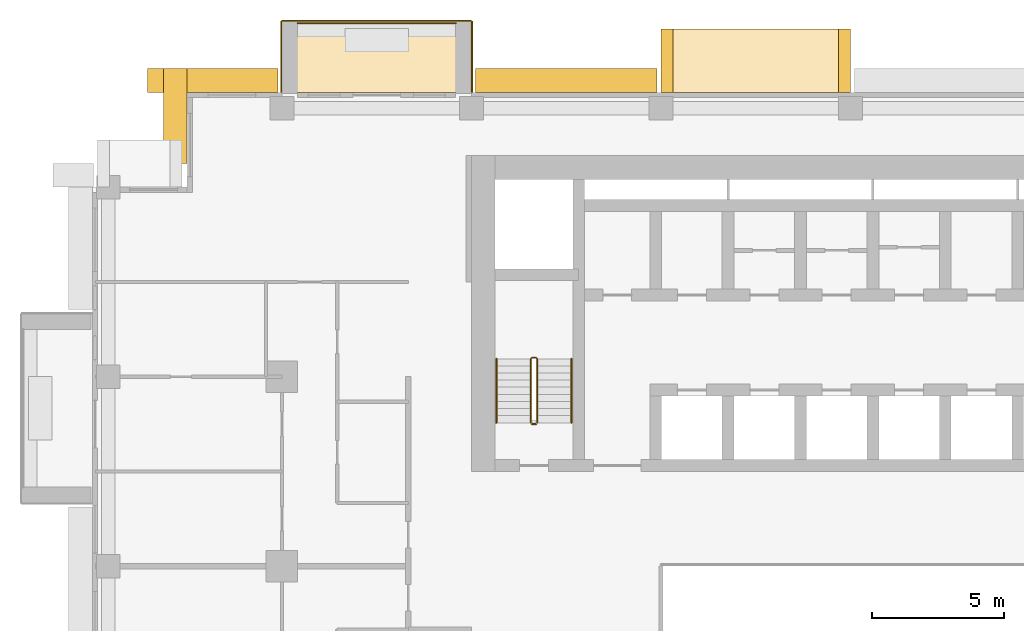
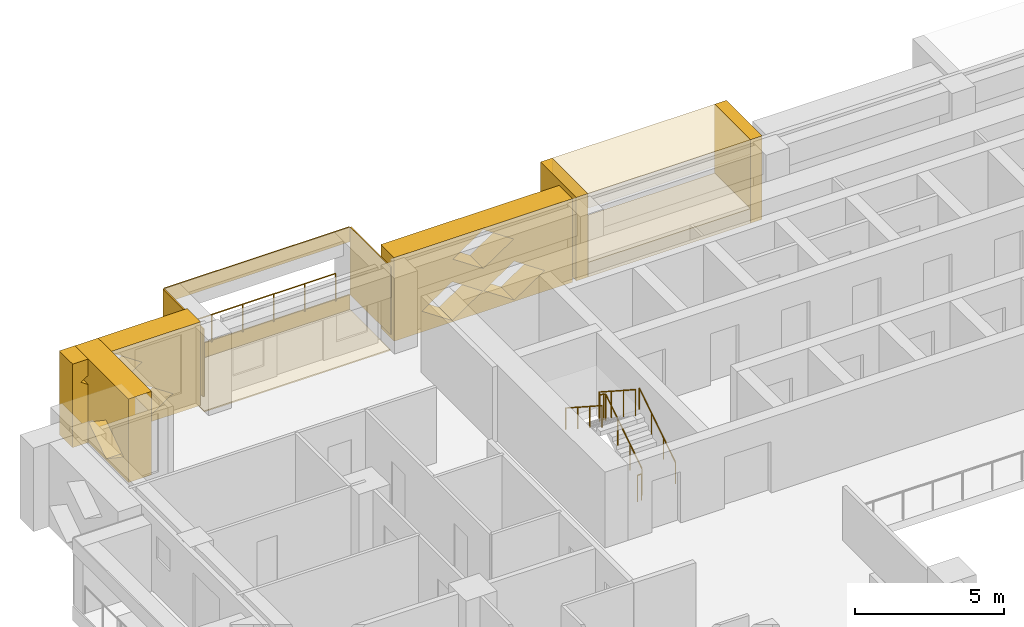
# One storey, part 15 of 17: 12 coverings, 5 railings.
"""IFC4 building model written with IfcOpenShell, lengths in metres."""

from ifc_helpers import new_model, si_unit, direction, frame, origin, origin_2d, place, context, subcontext, project, spatial, polyline, circle, outline, extrude, material, layer, layer_set, type_object, element, save


model = new_model("IFC4")

# Units and contexts
model_context = context("Model", 3, precision=1e-05, world=origin(), true_north=direction((0.0, 1.0)))
body_context = subcontext(model_context, "Body", "Model", "MODEL_VIEW")
ifc_project = project(units=[si_unit("LENGTHUNIT", "METRE"), si_unit("AREAUNIT", "SQUARE_METRE"), si_unit("VOLUMEUNIT", "CUBIC_METRE"), si_unit("PLANEANGLEUNIT", "RADIAN"), si_unit("MASSUNIT", "GRAM", prefix="KILO")], contexts=[model_context])

# Site, building, storey
site_placement = place(None, origin())
site = spatial("IfcSite", under=ifc_project, at=site_placement, CompositionType="ELEMENT")
building_placement = place(site_placement, origin())
building = spatial("IfcBuilding", under=site, at=building_placement, Name="Saffron Iwan Residences", CompositionType="ELEMENT")
storey_placement = place(building_placement, frame((0.0, 0.0, 104.0)))
storey = spatial("IfcBuildingStorey", under=building, at=storey_placement, Name="L27", CompositionType="ELEMENT", Elevation=104.0)

# Railing
ifc_material_1 = material(Name="Stainless steel 316", Category="steel")
railing_type_1 = type_object("IfcRailingType", Name="BALCONY GUARD 1150", PredefinedType="GUARDRAIL", material=ifc_material_1)
railing_1_placement = place(storey_placement, frame((28.199951171875, 83.02490234375, 0.0)))
element("IfcRailing", 1, at=railing_1_placement, inside=storey, type_object=railing_type_1, Name="Balcony guard L27 F5-3", PredefinedType="GUARDRAIL", context=body_context, shape_type="SweptSolid", body=[
    extrude(circle(Radius=0.02392578125, at=origin_2d()), frame((0.0, 0.0, 1.1259765625), z_axis=(-1.0, 0.0, 0.0), x_axis=(0.0, -1.0, 0.0)), (0.0, 0.0, 1.0), 6.0),
    extrude(circle(Radius=0.02099609375, at=origin_2d()), origin(), (0.0, 0.0, 1.0), 1.101806640625),
    extrude(circle(Radius=0.02099609375, at=origin_2d()), frame((-1.199951171875, 0.0, 0.0)), (0.0, 0.0, 1.0), 1.101806640625),
    extrude(circle(Radius=0.02099609375, at=origin_2d()), frame((-2.39990234375, 0.0, 0.0)), (0.0, 0.0, 1.0), 1.101806640625),
    extrude(circle(Radius=0.02099609375, at=origin_2d()), frame((-3.60009765625, 0.0, 0.0)), (0.0, 0.0, 1.0), 1.101806640625),
    extrude(circle(Radius=0.02099609375, at=origin_2d()), frame((-4.800048828125, 0.0, 0.0)), (0.0, 0.0, 1.0), 1.101806640625),
    extrude(circle(Radius=0.02099609375, at=origin_2d()), frame((-6.0, 0.0, 0.0)), (0.0, 0.0, 1.0), 1.101806640625),
])

# Coverings
ifc_material_2 = material(Name="Precast concrete C40/50 white painted", Category="concrete")
ifc_layer = layer(ifc_material_2, 0.050048828125)
ifc_layer_set = layer_set([ifc_layer], Name="Precast concrete C40/50 white painted")
covering_type_1 = type_object("IfcCoveringType", Name="FRAME SKIN PRECAST WHITE 50", PredefinedType="CLADDING", material=ifc_layer_set)
for number, where, name in (
    (2, (0.0, 0.0, -0.60009765625), "Frame skin slab edge L27 F5-3"),
    (3, (0.0, 0.0, 2.169921875), "Frame skin fascia L27 F5-3"),
):
    element("IfcCovering", number, at=place(storey_placement, frame(where)), inside=storey, type_object=covering_type_1, Name=name, PredefinedType="CLADDING", context=body_context, shape_type="SweptSolid", body=[
        extrude(outline(polyline([(28.800048828125, 83.14990234375), (21.60009765625, 83.14990234375), (21.60009765625, 83.10009765625), (28.800048828125, 83.10009765625), (28.800048828125, 83.14990234375)])), origin(), (0.0, 0.0, 1.0), 0.60009765625),
    ])
covering_1_placement = place(storey_placement, frame((0.0, 0.0, -0.64990234375)))
element("IfcCovering", 4, at=covering_1_placement, inside=storey, type_object=covering_type_1, Name="Frame skin soffit L27 F5-3", PredefinedType="CLADDING", context=body_context, shape_type="SweptSolid", body=[
    extrude(outline(polyline([(28.800048828125, 83.10009765625), (21.60009765625, 83.10009765625), (21.60009765625, 80.39990234375), (28.800048828125, 80.39990234375), (28.800048828125, 83.10009765625)])), origin(), (0.0, 0.0, 1.0), 0.0498046875),
])
covering_2_placement = place(storey_placement, origin())
element("IfcCovering", 5, at=covering_2_placement, inside=storey, type_object=covering_type_1, Name="Frame skin fin L27 F5-3a", PredefinedType="CLADDING", context=body_context, shape_type="SweptSolid", body=[
    extrude(outline(polyline([(28.85009765625, 83.10009765625), (28.800048828125, 83.10009765625), (28.800048828125, 80.39990234375), (28.85009765625, 80.39990234375), (28.85009765625, 83.10009765625)])), origin(), (0.0, 0.0, 1.0), 2.77001953125),
])
covering_3_placement = place(storey_placement, origin())
element("IfcCovering", 6, at=covering_3_placement, inside=storey, type_object=covering_type_1, Name="Frame skin fin L27 F5-3b", PredefinedType="CLADDING", context=body_context, shape_type="SweptSolid", body=[
    extrude(outline(polyline([(21.60009765625, 83.10009765625), (21.550048828125, 83.10009765625), (21.550048828125, 80.39990234375), (21.60009765625, 80.39990234375), (21.60009765625, 83.10009765625)])), origin(), (0.0, 0.0, 1.0), 2.77001953125),
])
ifc_material_3 = material(Name="Precast concrete C40/50", Category="concrete")
covering_type_2 = type_object("IfcCoveringType", Name="OUTER SKIN LATTICE SCREEN", PredefinedType="CLADDING", material=ifc_material_3)
covering_4_placement = place(storey_placement, frame((35.85009765625, 80.39990234375, -0.320068359375), z_axis=(0.0, 1.0, 0.0), x_axis=(-1.0, 0.0, 0.0)))
element("IfcCovering", 7, at=covering_4_placement, inside=storey, type_object=covering_type_2, Name="OUTER SKIN lattice screen L27 F5.3", PredefinedType="CLADDING", context=body_context, shape_type="SweptSolid", body=[
    extrude(outline(polyline([(0.0, 0.0), (6.89990234375, 0.0), (6.89990234375, 3.419921875), (0.0, 3.419921875), (0.0, 0.0)]), holes=[polyline([(1.070068359375, 0.85498046875), (2.25, 0.06005859375), (3.429931640625, 0.85498046875), (2.25, 1.64990234375), (1.070068359375, 0.85498046875)]), polyline([(3.469970703125, 0.85498046875), (4.64990234375, 0.06005859375), (5.830078125, 0.85498046875), (4.64990234375, 1.64990234375), (3.469970703125, 0.85498046875)]), polyline([(2.27001953125, 2.56494140625), (3.449951171875, 1.77001953125), (4.6298828125, 2.56494140625), (3.449951171875, 3.360107421875), (2.27001953125, 2.56494140625)])]), origin(), (0.0, 0.0, 1.0), 0.900146484375),
])
covering_5_placement = place(storey_placement, frame((21.449951171875, 80.39990234375, -0.320068359375), z_axis=(0.0, 1.0, 0.0), x_axis=(-1.0, 0.0, 0.0)))
element("IfcCovering", 8, at=covering_5_placement, inside=storey, type_object=covering_type_2, Name="OUTER SKIN lattice screen L27 F5.4", PredefinedType="CLADDING", context=body_context, shape_type="SweptSolid", body=[
    extrude(outline(polyline([(0.0, 0.0), (4.949951171875, 0.0), (4.949951171875, 3.419921875), (0.0, 3.419921875), (0.0, 0.0)]), holes=[polyline([(1.070068359375, 0.85498046875), (2.25, 0.06005859375), (3.429931640625, 0.85498046875), (2.25, 1.64990234375), (1.070068359375, 0.85498046875)]), polyline([(2.27001953125, 2.56494140625), (3.449951171875, 1.77001953125), (4.6298828125, 2.56494140625), (3.449951171875, 3.360107421875), (2.27001953125, 2.56494140625)])]), origin(), (0.0, 0.0, 1.0), 0.900146484375),
])
covering_6_placement = place(storey_placement, frame((18.0, 81.300048828125, -0.320068359375), z_axis=(-1.0, 0.0, 0.0), x_axis=(0.0, -1.0, 0.0)))
element("IfcCovering", 9, at=covering_6_placement, inside=storey, type_object=covering_type_2, Name="OUTER SKIN lattice screen L27 F6.0", PredefinedType="CLADDING", context=body_context, shape_type="SweptSolid", body=[
    extrude(outline(polyline([(0.0, 0.0), (3.60009765625, 0.0), (3.60009765625, 3.419921875), (0.0, 3.419921875), (0.0, 0.0)]), holes=[polyline([(0.919921875, 0.85498046875), (2.10009765625, 0.06005859375), (3.280029296875, 0.85498046875), (2.10009765625, 1.64990234375), (0.919921875, 0.85498046875)])]), origin(), (0.0, 0.0, 1.0), 0.89990234375),
])

# Railings
ifc_material_4 = material(Name="Steel S355", Category="steel")
railing_type_2 = type_object("IfcRailingType", Name="Stair guard 1100", PredefinedType="GUARDRAIL", material=ifc_material_4)
railing_2_placement = place(storey_placement, frame((31.300048828125, 67.85009765625, 0.175048828125)))
element("IfcRailing", 10, at=railing_2_placement, inside=storey, type_object=railing_type_2, Name="L27 ST-W stair guard 1", PredefinedType="GUARDRAIL", context=body_context, shape_type="SweptSolid", body=[
    extrude(circle(Radius=0.02392578125, at=origin_2d()), frame((0.0, 0.0, 1.076171875), z_axis=(0.0, 0.839153699163, 0.543894354798), x_axis=(-1.0, 0.0, 0.0)), (0.0, 0.0, 1.0), 2.895751953125),
    extrude(circle(Radius=0.02392578125, at=origin_2d()), frame((0.0, 2.429931640625, 2.65087890625), z_axis=(-0.707106781187, 0.707106781187, 0.0), x_axis=(-0.707106781187, -0.707106781187, 0.0)), (0.0, 0.0, 1.0), 0.07080078125),
    extrude(circle(Radius=0.02392578125, at=origin_2d()), frame((-0.050048828125, 2.47998046875, 2.65087890625), z_axis=(-1.0, 0.0, 0.0), x_axis=(0.0, -1.0, 0.0)), (0.0, 0.0, 1.0), 0.14990234375),
    extrude(circle(Radius=0.02392578125, at=origin_2d()), frame((-0.199951171875, 2.47998046875, 2.65087890625), z_axis=(-0.265065253269, -0.265065253269, 0.927081885822), x_axis=(0.707106781187, -0.707106781187, 0.0)), (0.0, 0.0, 1.0), 0.188720703125),
    extrude(circle(Radius=0.02392578125, at=origin_2d()), frame((-0.25, 2.429931640625, 2.826171875), z_axis=(0.0, -0.839153699163, 0.543894354798), x_axis=(1.0, 0.0, 0.0)), (0.0, 0.0, 1.0), 2.895751953125),
    extrude(circle(Radius=0.02099609375, at=origin_2d()), origin(), (0.0, 0.0, 1.0), 1.052001953125),
    extrude(circle(Radius=0.02099609375, at=origin_2d()), frame((0.0, 0.81005859375, 0.52490234375)), (0.0, 0.0, 1.0), 1.052001953125),
    extrude(circle(Radius=0.02099609375, at=origin_2d()), frame((0.0, 1.619873046875, 1.050048828125)), (0.0, 0.0, 1.0), 1.052001953125),
    extrude(circle(Radius=0.02099609375, at=origin_2d()), frame((0.0, 2.429931640625, 1.574951171875)), (0.0, 0.0, 1.0), 1.052001953125),
    extrude(circle(Radius=0.02099609375, at=origin_2d()), frame((-0.050048828125, 2.47998046875, 1.574951171875)), (0.0, 0.0, 1.0), 1.052001953125),
    extrude(circle(Radius=0.02099609375, at=origin_2d()), frame((-0.199951171875, 2.47998046875, 1.574951171875)), (0.0, 0.0, 1.0), 1.052001953125),
    extrude(circle(Radius=0.02099609375, at=origin_2d()), frame((-0.25, 2.429931640625, 1.75)), (0.0, 0.0, 1.0), 1.052001953125),
    extrude(circle(Radius=0.02099609375, at=origin_2d()), frame((-0.25, 1.619873046875, 2.27490234375)), (0.0, 0.0, 1.0), 1.052001953125),
    extrude(circle(Radius=0.02099609375, at=origin_2d()), frame((-0.25, 0.81005859375, 2.800048828125)), (0.0, 0.0, 1.0), 1.052001953125),
    extrude(circle(Radius=0.02099609375, at=origin_2d()), frame((-0.25, 0.0, 3.324951171875)), (0.0, 0.0, 1.0), 1.052001953125),
])
railing_3_placement = place(storey_placement, frame((31.25, 67.800048828125, 0.0)))
element("IfcRailing", 11, at=railing_3_placement, inside=storey, type_object=railing_type_2, Name="L27 ST-W stair guard 2", PredefinedType="GUARDRAIL", context=body_context, shape_type="SweptSolid", body=[
    extrude(circle(Radius=0.02392578125, at=origin_2d()), frame((0.0, 0.0, 1.076171875), z_axis=(-1.0, 0.0, 0.0), x_axis=(0.0, -1.0, 0.0)), (0.0, 0.0, 1.0), 0.14990234375),
    extrude(circle(Radius=0.02099609375, at=origin_2d()), origin(), (0.0, 0.0, 1.0), 1.052001953125),
    extrude(circle(Radius=0.02099609375, at=origin_2d()), frame((-0.14990234375, 0.0, 0.0)), (0.0, 0.0, 1.0), 1.052001953125),
])
railing_type_3 = type_object("IfcRailingType", Name="Stair handrail 900", PredefinedType="HANDRAIL", material=ifc_material_1)
railing_4_placement = place(storey_placement, frame((32.60009765625, 67.85009765625, 0.175048828125)))
element("IfcRailing", 12, at=railing_4_placement, inside=storey, type_object=railing_type_3, Name="L27 ST-W stair handrail 1", PredefinedType="HANDRAIL", context=body_context, shape_type="SweptSolid", body=[
    extrude(circle(Radius=0.02392578125, at=origin_2d()), frame((0.0, 0.0, 0.8759765625), z_axis=(0.0, 0.839153699163, 0.543894354798), x_axis=(-1.0, 0.0, 0.0)), (0.0, 0.0, 1.0), 2.895751953125),
    extrude(circle(Radius=0.02099609375, at=origin_2d()), origin(), (0.0, 0.0, 1.0), 0.851806640625),
    extrude(circle(Radius=0.02099609375, at=origin_2d()), frame((0.0, 0.81005859375, 0.52490234375)), (0.0, 0.0, 1.0), 0.851806640625),
    extrude(circle(Radius=0.02099609375, at=origin_2d()), frame((0.0, 1.619873046875, 1.050048828125)), (0.0, 0.0, 1.0), 0.851806640625),
    extrude(circle(Radius=0.02099609375, at=origin_2d()), frame((0.0, 2.429931640625, 1.574951171875)), (0.0, 0.0, 1.0), 0.851806640625),
])
railing_5_placement = place(storey_placement, frame((29.75, 70.280029296875, 1.925048828125)))
element("IfcRailing", 13, at=railing_5_placement, inside=storey, type_object=railing_type_3, Name="L27 ST-W stair handrail 2", PredefinedType="HANDRAIL", context=body_context, shape_type="SweptSolid", body=[
    extrude(circle(Radius=0.02392578125, at=origin_2d()), frame((0.0, 0.0, 0.8759765625), z_axis=(0.0, -0.839153699163, 0.543894354798), x_axis=(1.0, 0.0, 0.0)), (0.0, 0.0, 1.0), 2.895751953125),
    extrude(circle(Radius=0.02099609375, at=origin_2d()), origin(), (0.0, 0.0, 1.0), 0.851806640625),
    extrude(circle(Radius=0.02099609375, at=origin_2d()), frame((0.0, -0.81005859375, 0.52490234375)), (0.0, 0.0, 1.0), 0.851806640625),
    extrude(circle(Radius=0.02099609375, at=origin_2d()), frame((0.0, -1.619873046875, 1.050048828125)), (0.0, 0.0, 1.0), 0.851806640625),
    extrude(circle(Radius=0.02099609375, at=origin_2d()), frame((0.0, -2.429931640625, 1.574951171875)), (0.0, 0.0, 1.0), 0.851806640625),
])

# Coverings
covering_type_3 = type_object("IfcCoveringType", Name="WHITE SUN FRAME PRECAST", PredefinedType="CLADDING", material=ifc_material_2)
for number, where, z_axis, x_axis, name in (
    (14, (43.199951171875, 80.39990234375, -0.320068359375), (0.0, 1.0, 0.0), (-1.0, 0.0, 0.0), "Sun frame L27 F5 39.6a"),
    (15, (36.449951171875, 80.39990234375, -0.320068359375), (0.0, 1.0, 0.0), (-1.0, 0.0, 0.0), "Sun frame L27 F5 39.6b"),
):
    element("IfcCovering", number, at=place(storey_placement, frame(where, z_axis=z_axis, x_axis=x_axis)), inside=storey, type_object=covering_type_3, Name=name, PredefinedType="CLADDING", context=body_context, shape_type="SweptSolid", body=[
        extrude(outline(polyline([(0.0, 0.0), (0.449951171875, 0.0), (0.449951171875, 3.419921875), (0.0, 3.419921875), (0.0, 0.0)])), origin(), (0.0, 0.0, 1.0), 2.400146484375),
    ])
for number, where, z_axis, x_axis, name in (
    (16, (42.75, 80.39990234375, 2.5), (0.0, 1.0, 0.0), (-1.0, 0.0, 0.0), "Sun frame L27 F5 39.6h"),
    (17, (42.75, 80.39990234375, -0.320068359375), (0.0, 1.0, 0.0), (-1.0, 0.0, 0.0), "Sun frame L27 F5 39.6s"),
):
    element("IfcCovering", number, at=place(storey_placement, frame(where, z_axis=z_axis, x_axis=x_axis)), inside=storey, type_object=covering_type_3, Name=name, PredefinedType="CLADDING", context=body_context, shape_type="SweptSolid", body=[
        extrude(outline(polyline([(0.0, 0.0), (6.300048828125, 0.0), (6.300048828125, 0.60009765625), (0.0, 0.60009765625), (0.0, 0.0)])), origin(), (0.0, 0.0, 1.0), 2.400146484375),
    ])

save(model, "model.ifc")
